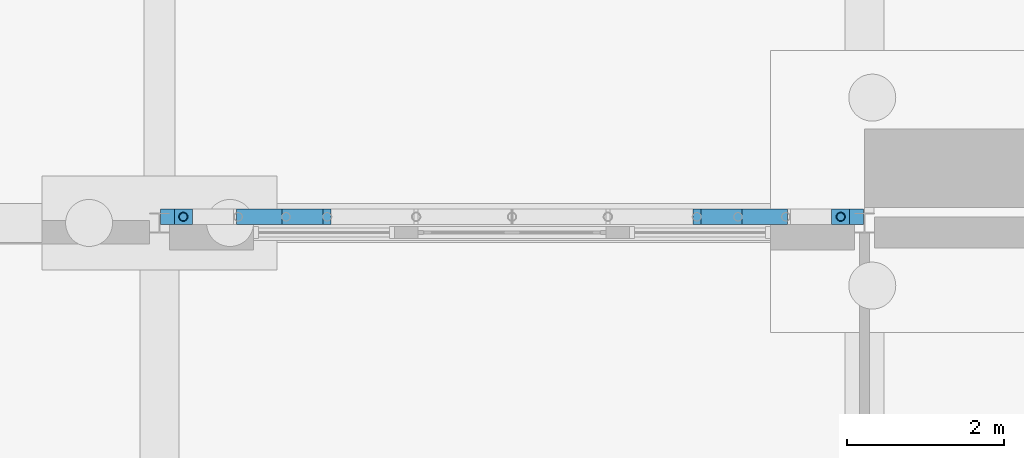
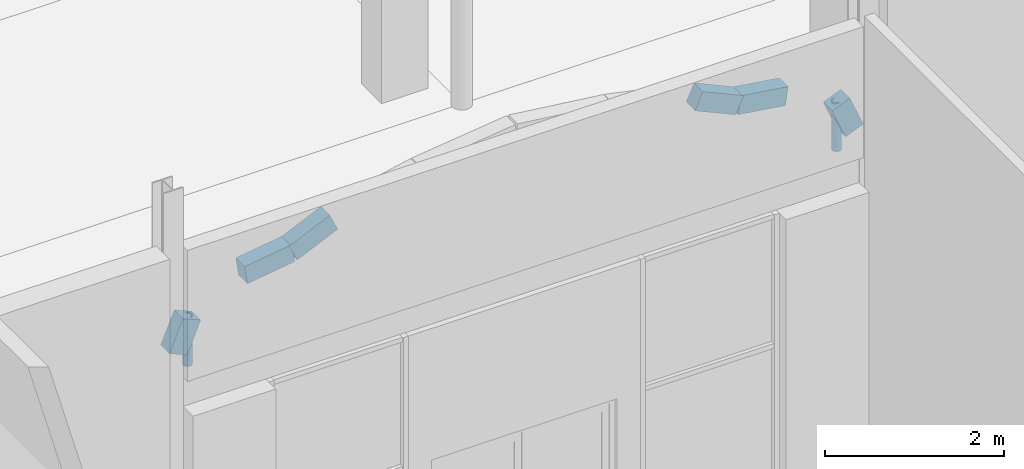
# One storey, part 69 of 250: 6 beams, 2 members.
"""IFC4 building model written with IfcOpenShell, lengths in metres."""

from ifc_helpers import new_model, si_unit, direction, frame, origin, origin_2d, place, context, subcontext, project, spatial, rectangle, hollow_circle, extrude, material, material_profile, profile_set, type_object, element, save


model = new_model("IFC4")

# Units and contexts
model_context = context("Model", 3, precision=1e-05, world=origin(), true_north=direction((0.0, 1.0)))
body_context = subcontext(model_context, "Body", "Model", "MODEL_VIEW")
ifc_project = project(units=[si_unit("LENGTHUNIT", "METRE"), si_unit("AREAUNIT", "SQUARE_METRE"), si_unit("VOLUMEUNIT", "CUBIC_METRE"), si_unit("PLANEANGLEUNIT", "RADIAN"), si_unit("MASSUNIT", "GRAM", prefix="KILO")], contexts=[model_context])

# Site, building, storey
site_placement = place(None, origin())
site = spatial("IfcSite", under=ifc_project, at=site_placement, CompositionType="ELEMENT")
building_placement = place(site_placement, origin())
building = spatial("IfcBuilding", under=site, at=building_placement, Name="Baradari Gate Terminus", CompositionType="ELEMENT")
storey_placement = place(building_placement, origin())
storey = spatial("IfcBuildingStorey", under=building, at=storey_placement, Name="L00", CompositionType="ELEMENT", Elevation=0.0)

# Members
ifc_material_1 = material(Name="Steel S355", Category="steel")
ifc_material_profile_1 = material_profile(ifc_material_1, hollow_circle(Radius=0.05712890625, WallThickness=0.00634765625, at=origin_2d()), Name="CHS 114.3x6.3")
ifc_profile_set_1 = profile_set([ifc_material_profile_1], Name="Steel S355")
member_type = type_object("IfcMemberType", Name="Arcade arch post SP-2 114x6.3", PredefinedType="POST", material=ifc_profile_set_1)
for number, where, z_axis, x_axis, name in (
    (1, (126.302978515625, 108.07861328125, 4.89990234375), (0.0, 0.0, 1.0), (1.0, 0.0, 0.0), "Arcade arch post 14.2"),
    (2, (134.697021484375, 108.07861328125, 4.89990234375), (0.0, 0.0, 1.0), (1.0, 0.0, 0.0), "Arcade arch post 14.12"),
):
    element("IfcMember", number, at=place(storey_placement, frame(where, z_axis=z_axis, x_axis=x_axis)), inside=storey, type_object=member_type, Name=name, PredefinedType="POST", context=body_context, shape_type="SweptSolid", body=[
        extrude(hollow_circle(Radius=0.05712890625, WallThickness=0.00634765625, at=origin_2d()), origin(), (0.0, 0.0, 1.0), 0.66796875),
    ])

# Beams
ifc_material_2 = material(Name="Concrete C40/50 precast", Category="concrete")
ifc_material_profile_2 = material_profile(ifc_material_2, rectangle(XDim=0.199951171875, YDim=0.25, at=origin_2d()), Name="AB-1 200X250")
ifc_profile_set_2 = profile_set([ifc_material_profile_2], Name="Concrete C40/50 precast")
beam_type = type_object("IfcBeamType", Name="Arcade arch segment AB-1 200x250", PredefinedType="BEAM", material=ifc_profile_set_2)
beam_1_placement = place(storey_placement, frame((126.128173828125, 108.07861328125, 5.14990234375), z_axis=(0.385839488106, 0.0, 0.922565926868), x_axis=(0.0, 1.0, 0.0)))
element("IfcBeam", 3, at=beam_1_placement, inside=storey, type_object=beam_type, Name="Arcade arch AB-1 bay 14 segment 1", PredefinedType="BEAM", context=body_context, shape_type="SweptSolid", body=[
    extrude(rectangle(XDim=0.199951171875, YDim=0.25, at=origin_2d()), origin(), (0.0, 0.0, 1.0), 0.453125),
])
beam_2_placement = place(storey_placement, frame((127.00244140625, 108.07861328125, 5.92578125), z_axis=(0.989454167091, 0.0, 0.144846302083), x_axis=(0.0, 1.0, 0.0)))
element("IfcBeam", 4, at=beam_2_placement, inside=storey, type_object=beam_type, Name="Arcade arch AB-1 bay 14 segment 3", PredefinedType="BEAM", context=body_context, shape_type="SweptSolid", body=[
    extrude(rectangle(XDim=0.199951171875, YDim=0.25, at=origin_2d()), origin(), (0.0, 0.0, 1.0), 0.61865234375),
])
for number, where, z_axis, x_axis, name in (
    (5, (127.614501953125, 108.07861328125, 6.015380859375), (0.910177822616, 0.0, 0.414217734071), (0.0, 1.0, 0.0), "Arcade arch AB-1 bay 14 segment 4"),
    (6, (132.86083984375, 108.07861328125, 6.254150390625), (0.910177822616, 0.0, -0.414217734071), (0.0, 1.0, 0.0), "Arcade arch AB-1 bay 14 segment 9"),
):
    element("IfcBeam", number, at=place(storey_placement, frame(where, z_axis=z_axis, x_axis=x_axis)), inside=storey, type_object=beam_type, Name=name, PredefinedType="BEAM", context=body_context, shape_type="SweptSolid", body=[
        extrude(rectangle(XDim=0.199951171875, YDim=0.25, at=origin_2d()), origin(), (0.0, 0.0, 1.0), 0.576416015625),
    ])
beam_3_placement = place(storey_placement, frame((133.385498046875, 108.07861328125, 6.015380859375), z_axis=(0.989454167091, 0.0, -0.144846302083), x_axis=(0.0, 1.0, 0.0)))
element("IfcBeam", 7, at=beam_3_placement, inside=storey, type_object=beam_type, Name="Arcade arch AB-1 bay 14 segment 10", PredefinedType="BEAM", context=body_context, shape_type="SweptSolid", body=[
    extrude(rectangle(XDim=0.199951171875, YDim=0.25, at=origin_2d()), origin(), (0.0, 0.0, 1.0), 0.61865234375),
])
beam_4_placement = place(storey_placement, frame((134.697021484375, 108.07861328125, 5.56787109375), z_axis=(0.385839488106, 0.0, -0.922565926868), x_axis=(0.0, 1.0, 0.0)))
element("IfcBeam", 8, at=beam_4_placement, inside=storey, type_object=beam_type, Name="Arcade arch AB-1 bay 14 segment 12", PredefinedType="BEAM", context=body_context, shape_type="SweptSolid", body=[
    extrude(rectangle(XDim=0.199951171875, YDim=0.25, at=origin_2d()), origin(), (0.0, 0.0, 1.0), 0.453125),
])

save(model, "model.ifc")
